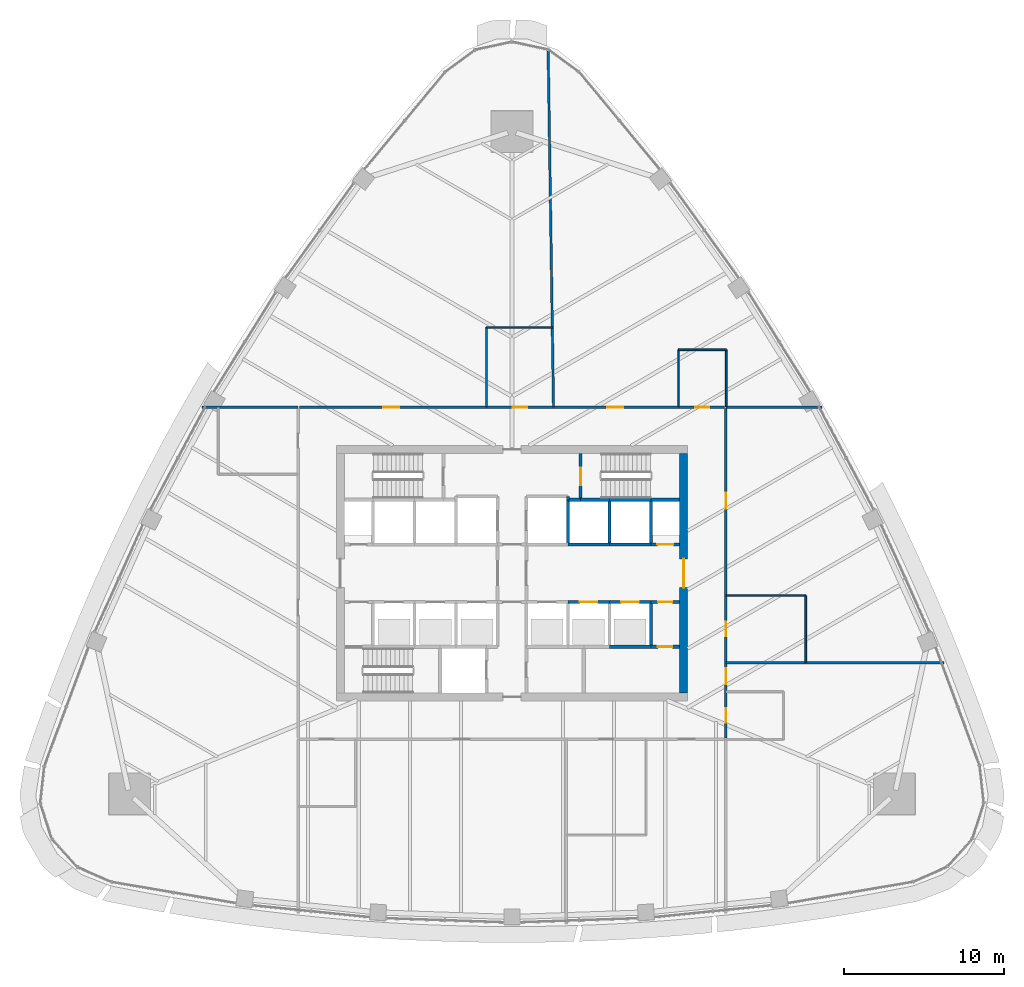
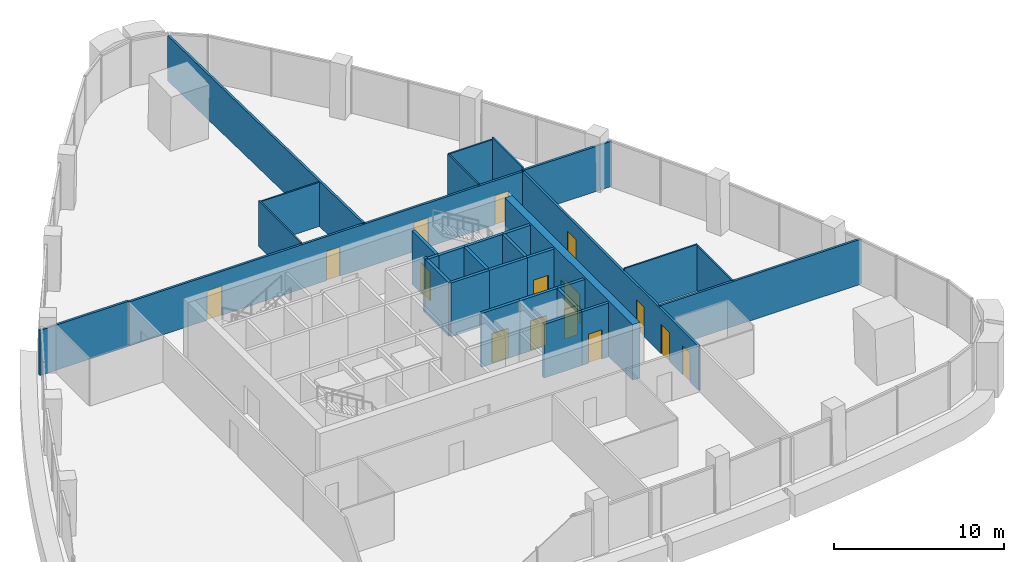
# One storey, part 11 of 16: 32 walls, 15 doors, 15 openings.
"""IFC4 building model written with IfcOpenShell, lengths in metres."""

from ifc_helpers import new_model, si_unit, direction, frame, frame_2d, origin, place, context, subcontext, project, spatial, rectangle, extrude, material, layer, layer_set, type_object, element, fill, save


model = new_model("IFC4")

# Units and contexts
model_context = context("Model", 3, precision=1e-05, world=origin(), true_north=direction((0.0, 1.0)))
body_context = subcontext(model_context, "Body", "Model", "MODEL_VIEW")
ifc_project = project(units=[si_unit("LENGTHUNIT", "METRE"), si_unit("AREAUNIT", "SQUARE_METRE"), si_unit("VOLUMEUNIT", "CUBIC_METRE"), si_unit("PLANEANGLEUNIT", "RADIAN"), si_unit("MASSUNIT", "GRAM", prefix="KILO")], contexts=[model_context])

# Site, building, storey
site_placement = place(None, origin())
site = spatial("IfcSite", under=ifc_project, at=site_placement, CompositionType="ELEMENT")
building_placement = place(site_placement, origin())
building = spatial("IfcBuilding", under=site, at=building_placement, Name="Sierra Prisma Convention Tower", CompositionType="ELEMENT")
storey_placement = place(building_placement, frame((0.0, 0.0, 165.800048828125)))
storey = spatial("IfcBuildingStorey", under=building, at=storey_placement, Name="L36", CompositionType="ELEMENT", Elevation=165.800048828125)

# Walls
ifc_material_1 = material(Name="Gypsum board partition", Category="gypsum")
ifc_layer_1 = layer(ifc_material_1, 0.10009765625)
ifc_layer_set_1 = layer_set([ifc_layer_1], Name="Bathroom partition 100")
wall_type_1 = type_object("IfcWallType", Name="Bathroom partition 100", PredefinedType="PARTITIONING", material=ifc_layer_set_1)
wall_1_placement = place(storey_placement, frame((-1.60009765625, 10.429931640625, 0.0), z_axis=(0.0, 0.0, 1.0), x_axis=(0.0, 1.0, 0.0)))
element("IfcWall", 1, at=wall_1_placement, inside=storey, type_object=wall_type_1, Name="Partition L36 bath 5", PredefinedType="PARTITIONING", context=body_context, shape_type="SweptSolid", body=[
    extrude(rectangle(XDim=4.969970703125, YDim=0.10009765625, at=frame_2d((2.48486328125, 0.0))), origin(), (0.0, 0.0, 1.0), 3.2470703125),
])
wall_2_placement = place(storey_placement, frame((-1.60009765625, 15.39990234375, 0.0), z_axis=(0.0, 0.0, 1.0), x_axis=(1.0, 0.0, 0.0)))
element("IfcWall", 2, at=wall_2_placement, inside=storey, type_object=wall_type_1, Name="Partition L36 bath 6", PredefinedType="PARTITIONING", context=body_context, shape_type="SweptSolid", body=[
    extrude(rectangle(XDim=4.170166015625, YDim=0.10009765625, at=frame_2d((2.0849609375, 0.0))), origin(), (0.0, 0.0, 1.0), 3.166015625),
])
wall_3_placement = place(storey_placement, frame((10.419921875, 10.429931640625, 0.0), z_axis=(0.0, 0.0, 1.0), x_axis=(0.0, 1.0, 0.0)))
element("IfcWall", 3, at=wall_3_placement, inside=storey, type_object=wall_type_1, Name="Partition L36 bath 9", PredefinedType="PARTITIONING", context=body_context, shape_type="SweptSolid", body=[
    extrude(rectangle(XDim=3.570068359375, YDim=0.10009765625, at=frame_2d((1.78515625, 0.0))), origin(), (0.0, 0.0, 1.0), 3.2470703125),
])
wall_4_placement = place(storey_placement, frame((10.419921875, 14.0, 0.0), z_axis=(0.0, 0.0, 1.0), x_axis=(1.0, 0.0, 0.0)))
element("IfcWall", 4, at=wall_4_placement, inside=storey, type_object=wall_type_1, Name="Partition L36 bath 10", PredefinedType="PARTITIONING", context=body_context, shape_type="SweptSolid", body=[
    extrude(rectangle(XDim=3.0, YDim=0.10009765625, at=frame_2d((1.5, 0.0))), origin(), (0.0, 0.0, 1.0), 3.2470703125),
])
wall_5_placement = place(storey_placement, frame((13.419921875, 14.0, 0.0), z_axis=(0.0, 0.0, 1.0), x_axis=(0.0, -1.0, 0.0)))
element("IfcWall", 5, at=wall_5_placement, inside=storey, type_object=wall_type_1, Name="Partition L36 bath 11", PredefinedType="PARTITIONING", context=body_context, shape_type="SweptSolid", body=[
    extrude(rectangle(XDim=3.570068359375, YDim=0.10009765625, at=frame_2d((1.78515625, 0.0))), origin(), (0.0, 0.0, 1.0), 3.39306640625),
])
wall_6_placement = place(storey_placement, frame((13.429931640625, -1.39990234375, 0.0), z_axis=(0.0, 0.0, 1.0), x_axis=(1.0, 0.0, 0.0)))
element("IfcWall", 6, at=wall_6_placement, inside=storey, type_object=wall_type_1, Name="Partition L36 bath 15", PredefinedType="PARTITIONING", context=body_context, shape_type="SweptSolid", body=[
    extrude(rectangle(XDim=4.969970703125, YDim=0.10009765625, at=frame_2d((2.48486328125, 0.0))), origin(), (0.0, 0.0, 1.0), 3.31689453125),
])
wall_7_placement = place(storey_placement, frame((18.39990234375, -1.39990234375, 0.0), z_axis=(0.0, 0.0, 1.0), x_axis=(0.0, -1.0, 0.0)))
element("IfcWall", 7, at=wall_7_placement, inside=storey, type_object=wall_type_1, Name="Partition L36 bath 16", PredefinedType="PARTITIONING", context=body_context, shape_type="SweptSolid", body=[
    extrude(rectangle(XDim=4.170166015625, YDim=0.10009765625, at=frame_2d((2.0849609375, 0.0))), origin(), (0.0, 0.0, 1.0), 3.2470703125),
])
ifc_material_2 = material(Name="Concrete C30/37", Category="concrete")
ifc_layer_2 = layer(ifc_material_2, 0.199951171875)
ifc_layer_set_2 = layer_set([ifc_layer_2], Name="Core wall RC 200 C30/37")
wall_type_2 = type_object("IfcWallType", Name="Core wall RC 200 C30/37", PredefinedType="SOLIDWALL", material=ifc_layer_set_2)
wall_8_placement = place(storey_placement, frame((3.5, 4.60009765625, 0.0), z_axis=(0.0, 0.0, 1.0), x_axis=(0.0, 1.0, 0.0)))
element("IfcWall", 8, at=wall_8_placement, inside=storey, type_object=wall_type_2, Name="Core wall L36 41", PredefinedType="SOLIDWALL", context=body_context, shape_type="SweptSolid", body=[
    extrude(rectangle(XDim=0.199951171875, YDim=0.199951171875, at=frame_2d((0.10009765625, 0.0))), origin(), (0.0, 0.0, 1.0), 3.849853515625),
])

# Wall, opening, door
wall_9_placement = place(storey_placement, frame((3.5, -1.800048828125, 0.0), z_axis=(0.0, 0.0, 1.0), x_axis=(1.0, 0.0, 0.0)))
wall_9 = element("IfcWall", 9, at=wall_9_placement, inside=storey, type_object=wall_type_2, Name="Core wall L36 46", PredefinedType="SOLIDWALL", context=body_context, shape_type="SweptSolid", body=[
    extrude(rectangle(XDim=2.60009765625, YDim=0.199951171875, at=frame_2d((1.300048828125, 0.0))), origin(), (0.0, 0.0, 1.0), 3.849853515625),
])
opening_1_placement = place(wall_9_placement, frame((0.75, 0.0, 0.0)))
opening_1 = element("IfcOpeningElement", 10, at=opening_1_placement, cuts=wall_9, Name="Opening L36-D005", PredefinedType="OPENING", context=body_context, shape_type="SweptSolid", body=[
    extrude(rectangle(XDim=1.10009765625, YDim=2.10009765625, at=frame_2d((0.550048828125, 1.050048828125))), frame((0.0, 0.10009765625, 0.0), z_axis=(0.0, -1.0, 0.0), x_axis=(1.0, 0.0, 0.0)), (0.0, 0.0, 1.0), 0.199951171875),
])
ifc_material_3 = material(Name="Steel fire door leaf", Category="steel")
door_type_1 = type_object("IfcDoorType", Name="Door 1100x2100 EI 90 sliding lift landing", OperationType="SLIDING_TO_LEFT", PredefinedType="DOOR", material=ifc_material_3)
door_1_placement = place(opening_1_placement, origin())
door_1 = element("IfcDoor", 11, at=door_1_placement, inside=storey, type_object=door_type_1, Name="Door L36 19", OperationType="SLIDING_TO_RIGHT", OverallHeight=2.10009765625, OverallWidth=1.10009765625, PredefinedType="DOOR", context=body_context, shape_type="SweptSolid", body=[
    extrude(rectangle(XDim=1.10009765625, YDim=2.10009765625, at=frame_2d((0.550048828125, 1.050048828125))), frame((0.0, 0.02490234375, 0.0), z_axis=(0.0, -1.0, 0.0), x_axis=(1.0, 0.0, 0.0)), (0.0, 0.0, 1.0), 0.050048828125),
])
fill(opening_1, door_1)

# Walls
wall_10_placement = place(storey_placement, frame((6.10009765625, 1.800048828125, 0.0), z_axis=(0.0, 0.0, 1.0), x_axis=(-1.0, 0.0, 0.0)))
element("IfcWall", 12, at=wall_10_placement, inside=storey, type_object=wall_type_2, Name="Core wall L36 47", PredefinedType="SOLIDWALL", context=body_context, shape_type="SweptSolid", body=[
    extrude(rectangle(XDim=2.60009765625, YDim=0.199951171875, at=frame_2d((1.300048828125, 0.0))), origin(), (0.0, 0.0, 1.0), 3.849853515625),
])
wall_11_placement = place(storey_placement, frame((3.5, 1.800048828125, 0.0), z_axis=(0.0, 0.0, 1.0), x_axis=(0.0, 1.0, 0.0)))
element("IfcWall", 13, at=wall_11_placement, inside=storey, type_object=wall_type_2, Name="Core wall L36 48", PredefinedType="SOLIDWALL", context=body_context, shape_type="SweptSolid", body=[
    extrude(rectangle(XDim=2.800048828125, YDim=0.199951171875, at=frame_2d((1.39990234375, 0.0))), origin(), (0.0, 0.0, 1.0), 3.849853515625),
])
wall_12_placement = place(storey_placement, frame((4.300048828125, 4.60009765625, 0.0), z_axis=(0.0, 0.0, 1.0), x_axis=(-1.0, 0.0, 0.0)))
element("IfcWall", 14, at=wall_12_placement, inside=storey, type_object=wall_type_2, Name="Core wall L36 49", PredefinedType="SOLIDWALL", context=body_context, shape_type="SweptSolid", body=[
    extrude(rectangle(XDim=0.800048828125, YDim=0.199951171875, at=frame_2d((0.39990234375, 0.0))), origin(), (0.0, 0.0, 1.0), 3.849853515625),
])
wall_13_placement = place(storey_placement, frame((6.10009765625, 4.60009765625, 0.0), z_axis=(0.0, 0.0, 1.0), x_axis=(-1.0, 0.0, 0.0)))
element("IfcWall", 15, at=wall_13_placement, inside=storey, type_object=wall_type_2, Name="Core wall L36 50", PredefinedType="SOLIDWALL", context=body_context, shape_type="SweptSolid", body=[
    extrude(rectangle(XDim=1.800048828125, YDim=0.199951171875, at=frame_2d((0.89990234375, 0.0))), origin(), (0.0, 0.0, 1.0), 3.849853515625),
])

# Wall, opening, door
wall_14_placement = place(storey_placement, frame((4.300048828125, 7.5, 0.0), z_axis=(0.0, 0.0, 1.0), x_axis=(0.0, -1.0, 0.0)))
wall_14 = element("IfcWall", 16, at=wall_14_placement, inside=storey, type_object=wall_type_2, Name="Core wall L36 51", PredefinedType="SOLIDWALL", context=body_context, shape_type="SweptSolid", body=[
    extrude(rectangle(XDim=2.89990234375, YDim=0.199951171875, at=frame_2d((1.449951171875, 0.0))), origin(), (0.0, 0.0, 1.0), 3.849853515625),
])
opening_2_placement = place(wall_14_placement, frame((0.89990234375, 0.0, 0.0)))
opening_2 = element("IfcOpeningElement", 17, at=opening_2_placement, cuts=wall_14, Name="Opening L36-D019", PredefinedType="OPENING", context=body_context, shape_type="SweptSolid", body=[
    extrude(rectangle(XDim=1.10009765625, YDim=2.10009765625, at=frame_2d((0.550048828125, 1.050048828125))), frame((0.0, 0.10009765625, 0.0), z_axis=(0.0, -1.0, 0.0), x_axis=(1.0, 0.0, 0.0)), (0.0, 0.0, 1.0), 0.199951171875),
])
ifc_material_4 = material(Name="Steel fire door leaf", Category="steel")
door_type_2 = type_object("IfcDoorType", Name="Door 1100x2100 FD90S", OperationType="SINGLE_SWING_LEFT", PredefinedType="DOOR", material=ifc_material_4)
door_2_placement = place(opening_2_placement, origin())
door_2 = element("IfcDoor", 18, at=door_2_placement, inside=storey, type_object=door_type_2, Name="Door L36 33", OperationType="SINGLE_SWING_RIGHT", OverallHeight=2.10009765625, OverallWidth=1.10009765625, PredefinedType="DOOR", context=body_context, shape_type="SweptSolid", body=[
    extrude(rectangle(XDim=1.10009765625, YDim=2.10009765625, at=frame_2d((0.550048828125, 1.050048828125))), frame((0.0, 0.02490234375, 0.0), z_axis=(0.0, -1.0, 0.0), x_axis=(1.0, 0.0, 0.0)), (0.0, 0.0, 1.0), 0.050048828125),
])
fill(opening_2, door_2)

# Wall
wall_15_placement = place(storey_placement, frame((8.699951171875, -4.60009765625, 0.0), z_axis=(0.0, 0.0, 1.0), x_axis=(-1.0, 0.0, 0.0)))
element("IfcWall", 19, at=wall_15_placement, inside=storey, type_object=wall_type_2, Name="Core wall L36 54", PredefinedType="SOLIDWALL", context=body_context, shape_type="SweptSolid", body=[
    extrude(rectangle(XDim=2.599853515625, YDim=0.199951171875, at=frame_2d((1.2998046875, 0.0))), origin(), (0.0, 0.0, 1.0), 3.849853515625),
])

# Wall, opening, door
wall_16_placement = place(storey_placement, frame((6.10009765625, -1.800048828125, 0.0), z_axis=(0.0, 0.0, 1.0), x_axis=(1.0, 0.0, 0.0)))
wall_16 = element("IfcWall", 20, at=wall_16_placement, inside=storey, type_object=wall_type_2, Name="Core wall L36 56", PredefinedType="SOLIDWALL", context=body_context, shape_type="SweptSolid", body=[
    extrude(rectangle(XDim=2.599853515625, YDim=0.199951171875, at=frame_2d((1.2998046875, 0.0))), origin(), (0.0, 0.0, 1.0), 3.849853515625),
])
opening_3_placement = place(wall_16_placement, frame((0.75, 0.0, 0.0)))
opening_3 = element("IfcOpeningElement", 21, at=opening_3_placement, cuts=wall_16, Name="Opening L36-D006", PredefinedType="OPENING", context=body_context, shape_type="SweptSolid", body=[
    extrude(rectangle(XDim=1.10009765625, YDim=2.10009765625, at=frame_2d((0.550048828125, 1.050048828125))), frame((0.0, 0.10009765625, 0.0), z_axis=(0.0, -1.0, 0.0), x_axis=(1.0, 0.0, 0.0)), (0.0, 0.0, 1.0), 0.199951171875),
])
door_3_placement = place(opening_3_placement, origin())
door_3 = element("IfcDoor", 22, at=door_3_placement, inside=storey, type_object=door_type_1, Name="Door L36 20", OperationType="SLIDING_TO_LEFT", OverallHeight=2.10009765625, OverallWidth=1.10009765625, PredefinedType="DOOR", context=body_context, shape_type="SweptSolid", body=[
    extrude(rectangle(XDim=1.10009765625, YDim=2.10009765625, at=frame_2d((0.550048828125, 1.050048828125))), frame((0.0, 0.02490234375, 0.0), z_axis=(0.0, -1.0, 0.0), x_axis=(1.0, 0.0, 0.0)), (0.0, 0.0, 1.0), 0.050048828125),
])
fill(opening_3, door_3)

# Walls
wall_17_placement = place(storey_placement, frame((8.699951171875, 1.800048828125, 0.0), z_axis=(0.0, 0.0, 1.0), x_axis=(-1.0, 0.0, 0.0)))
element("IfcWall", 23, at=wall_17_placement, inside=storey, type_object=wall_type_2, Name="Core wall L36 57", PredefinedType="SOLIDWALL", context=body_context, shape_type="SweptSolid", body=[
    extrude(rectangle(XDim=2.599853515625, YDim=0.199951171875, at=frame_2d((1.2998046875, 0.0))), origin(), (0.0, 0.0, 1.0), 3.849853515625),
])
wall_18_placement = place(storey_placement, frame((6.10009765625, 1.800048828125, 0.0), z_axis=(0.0, 0.0, 1.0), x_axis=(0.0, 1.0, 0.0)))
element("IfcWall", 24, at=wall_18_placement, inside=storey, type_object=wall_type_2, Name="Core wall L36 58", PredefinedType="SOLIDWALL", context=body_context, shape_type="SweptSolid", body=[
    extrude(rectangle(XDim=2.800048828125, YDim=0.199951171875, at=frame_2d((1.39990234375, 0.0))), origin(), (0.0, 0.0, 1.0), 3.849853515625),
])
wall_19_placement = place(storey_placement, frame((8.699951171875, 4.60009765625, 0.0), z_axis=(0.0, 0.0, 1.0), x_axis=(-1.0, 0.0, 0.0)))
element("IfcWall", 25, at=wall_19_placement, inside=storey, type_object=wall_type_2, Name="Core wall L36 59", PredefinedType="SOLIDWALL", context=body_context, shape_type="SweptSolid", body=[
    extrude(rectangle(XDim=2.599853515625, YDim=0.199951171875, at=frame_2d((1.2998046875, 0.0))), origin(), (0.0, 0.0, 1.0), 3.849853515625),
])

# Wall, opening, door
wall_20_placement = place(storey_placement, frame((10.5, -4.60009765625, 0.0), z_axis=(0.0, 0.0, 1.0), x_axis=(-1.0, 0.0, 0.0)))
wall_20 = element("IfcWall", 26, at=wall_20_placement, inside=storey, type_object=wall_type_2, Name="Core wall L36 60", PredefinedType="SOLIDWALL", context=body_context, shape_type="SweptSolid", body=[
    extrude(rectangle(XDim=1.800048828125, YDim=0.199951171875, at=frame_2d((0.89990234375, 0.0))), origin(), (0.0, 0.0, 1.0), 3.849853515625),
])
opening_4_placement = place(wall_20_placement, frame((0.4599609375, 0.0, 0.0)))
opening_4 = element("IfcOpeningElement", 27, at=opening_4_placement, cuts=wall_20, Name="Opening L36-D020", PredefinedType="OPENING", context=body_context, shape_type="SweptSolid", body=[
    extrude(rectangle(XDim=0.89990234375, YDim=2.10009765625, at=frame_2d((0.449951171875, 1.050048828125))), frame((0.0, 0.10009765625, 0.0), z_axis=(0.0, -1.0, 0.0), x_axis=(1.0, 0.0, 0.0)), (0.0, 0.0, 1.0), 0.199951171875),
])
ifc_material_5 = material(Name="Steel fire door leaf", Category="steel")
door_type_3 = type_object("IfcDoorType", Name="Door 900x2100 FD30S", OperationType="SINGLE_SWING_LEFT", PredefinedType="DOOR", material=ifc_material_5)
door_4_placement = place(opening_4_placement, origin())
door_4 = element("IfcDoor", 28, at=door_4_placement, inside=storey, type_object=door_type_3, Name="Door L36 34", OperationType="SINGLE_SWING_RIGHT", OverallHeight=2.10009765625, OverallWidth=0.89990234375, PredefinedType="DOOR", context=body_context, shape_type="SweptSolid", body=[
    extrude(rectangle(XDim=0.89990234375, YDim=2.10009765625, at=frame_2d((0.449951171875, 1.050048828125))), frame((0.0, 0.02490234375, 0.0), z_axis=(0.0, -1.0, 0.0), x_axis=(1.0, 0.0, 0.0)), (0.0, 0.0, 1.0), 0.050048828125),
])
fill(opening_4, door_4)

# Wall
wall_21_placement = place(storey_placement, frame((8.699951171875, -1.800048828125, 0.0), z_axis=(0.0, 0.0, 1.0), x_axis=(0.0, -1.0, 0.0)))
element("IfcWall", 29, at=wall_21_placement, inside=storey, type_object=wall_type_2, Name="Core wall L36 61", PredefinedType="SOLIDWALL", context=body_context, shape_type="SweptSolid", body=[
    extrude(rectangle(XDim=2.800048828125, YDim=0.199951171875, at=frame_2d((1.39990234375, 0.0))), origin(), (0.0, 0.0, 1.0), 3.849853515625),
])

# Wall, opening, door
wall_22_placement = place(storey_placement, frame((8.699951171875, -1.800048828125, 0.0), z_axis=(0.0, 0.0, 1.0), x_axis=(1.0, 0.0, 0.0)))
wall_22 = element("IfcWall", 30, at=wall_22_placement, inside=storey, type_object=wall_type_2, Name="Core wall L36 62", PredefinedType="SOLIDWALL", context=body_context, shape_type="SweptSolid", body=[
    extrude(rectangle(XDim=1.800048828125, YDim=0.199951171875, at=frame_2d((0.89990234375, 0.0))), origin(), (0.0, 0.0, 1.0), 3.849853515625),
])
opening_5_placement = place(wall_22_placement, frame((0.449951171875, 0.0, 0.0)))
opening_5 = element("IfcOpeningElement", 31, at=opening_5_placement, cuts=wall_22, Name="Opening L36-D021", PredefinedType="OPENING", context=body_context, shape_type="SweptSolid", body=[
    extrude(rectangle(XDim=0.89990234375, YDim=2.10009765625, at=frame_2d((0.449951171875, 1.050048828125))), frame((0.0, 0.10009765625, 0.0), z_axis=(0.0, -1.0, 0.0), x_axis=(1.0, 0.0, 0.0)), (0.0, 0.0, 1.0), 0.199951171875),
])
door_5_placement = place(opening_5_placement, origin())
door_5 = element("IfcDoor", 32, at=door_5_placement, inside=storey, type_object=door_type_3, Name="Door L36 35", OperationType="SINGLE_SWING_LEFT", OverallHeight=2.10009765625, OverallWidth=0.89990234375, PredefinedType="DOOR", context=body_context, shape_type="SweptSolid", body=[
    extrude(rectangle(XDim=0.89990234375, YDim=2.10009765625, at=frame_2d((0.449951171875, 1.050048828125))), frame((0.0, 0.02490234375, 0.0), z_axis=(0.0, -1.0, 0.0), x_axis=(1.0, 0.0, 0.0)), (0.0, 0.0, 1.0), 0.050048828125),
])
fill(opening_5, door_5)

wall_23_placement = place(storey_placement, frame((10.5, 1.800048828125, 0.0), z_axis=(0.0, 0.0, 1.0), x_axis=(-1.0, 0.0, 0.0)))
wall_23 = element("IfcWall", 33, at=wall_23_placement, inside=storey, type_object=wall_type_2, Name="Core wall L36 63", PredefinedType="SOLIDWALL", context=body_context, shape_type="SweptSolid", body=[
    extrude(rectangle(XDim=1.800048828125, YDim=0.199951171875, at=frame_2d((0.89990234375, 0.0))), origin(), (0.0, 0.0, 1.0), 3.849853515625),
])
opening_6_placement = place(wall_23_placement, frame((0.39990234375, 0.0, 0.0)))
opening_6 = element("IfcOpeningElement", 34, at=opening_6_placement, cuts=wall_23, Name="Opening L36-D016", PredefinedType="OPENING", context=body_context, shape_type="SweptSolid", body=[
    extrude(rectangle(XDim=1.0, YDim=2.10009765625, at=frame_2d((0.5, 1.050048828125))), frame((0.0, 0.10009765625, 0.0), z_axis=(0.0, -1.0, 0.0), x_axis=(1.0, 0.0, 0.0)), (0.0, 0.0, 1.0), 0.199951171875),
])
ifc_material_6 = material(Name="Steel fire door leaf", Category="steel")
door_type_4 = type_object("IfcDoorType", Name="Door 1000x2100 FD60S", OperationType="SINGLE_SWING_LEFT", PredefinedType="DOOR", material=ifc_material_6)
door_6_placement = place(opening_6_placement, origin())
door_6 = element("IfcDoor", 35, at=door_6_placement, inside=storey, type_object=door_type_4, Name="Door L36 30", OperationType="SINGLE_SWING_RIGHT", OverallHeight=2.10009765625, OverallWidth=1.0, PredefinedType="DOOR", context=body_context, shape_type="SweptSolid", body=[
    extrude(rectangle(XDim=1.0, YDim=2.10009765625, at=frame_2d((0.5, 1.050048828125))), frame((0.0, 0.02490234375, 0.0), z_axis=(0.0, -1.0, 0.0), x_axis=(1.0, 0.0, 0.0)), (0.0, 0.0, 1.0), 0.050048828125),
])
fill(opening_6, door_6)

# Walls
wall_24_placement = place(storey_placement, frame((8.699951171875, 4.60009765625, 0.0), z_axis=(0.0, 0.0, 1.0), x_axis=(0.0, -1.0, 0.0)))
element("IfcWall", 36, at=wall_24_placement, inside=storey, type_object=wall_type_2, Name="Core wall L36 64", PredefinedType="SOLIDWALL", context=body_context, shape_type="SweptSolid", body=[
    extrude(rectangle(XDim=2.800048828125, YDim=0.199951171875, at=frame_2d((1.39990234375, 0.0))), origin(), (0.0, 0.0, 1.0), 3.849853515625),
])
wall_25_placement = place(storey_placement, frame((10.5, 4.60009765625, 0.0), z_axis=(0.0, 0.0, 1.0), x_axis=(-1.0, 0.0, 0.0)))
element("IfcWall", 37, at=wall_25_placement, inside=storey, type_object=wall_type_2, Name="Core wall L36 65", PredefinedType="SOLIDWALL", context=body_context, shape_type="SweptSolid", body=[
    extrude(rectangle(XDim=1.800048828125, YDim=0.199951171875, at=frame_2d((0.89990234375, 0.0))), origin(), (0.0, 0.0, 1.0), 3.849853515625),
])

# Wall, opening, door
ifc_material_7 = material(Name="Concrete C60/75", Category="concrete")
ifc_layer_3 = layer(ifc_material_7, 0.5)
ifc_layer_set_3 = layer_set([ifc_layer_3], Name="Core wall RC 500 C60/75")
wall_type_3 = type_object("IfcWallType", Name="Core wall RC 500 C60/75", PredefinedType="SHEAR", material=ifc_layer_set_3)
wall_26_placement = place(storey_placement, frame((10.75, -7.5, 0.0), z_axis=(0.0, 0.0, 1.0), x_axis=(0.0, 1.0, 0.0)))
wall_26 = element("IfcWall", 38, at=wall_26_placement, inside=storey, type_object=wall_type_3, Name="Core wall E L36", PredefinedType="SHEAR", context=body_context, shape_type="SweptSolid", body=[
    extrude(rectangle(XDim=15.0, YDim=0.5, at=frame_2d((7.5, 0.0))), origin(), (0.0, 0.0, 1.0), 4.0),
])
opening_7_placement = place(wall_26_placement, frame((6.60009765625, 0.0, 0.0)))
opening_7 = element("IfcOpeningElement", 39, at=opening_7_placement, cuts=wall_26, Name="Opening L36-D037", PredefinedType="OPENING", context=body_context, shape_type="SweptSolid", body=[
    extrude(rectangle(XDim=1.800048828125, YDim=2.10009765625, at=frame_2d((0.89990234375, 1.050048828125))), frame((0.0, 0.25, 0.0), z_axis=(0.0, -1.0, 0.0), x_axis=(1.0, 0.0, 0.0)), (0.0, 0.0, 1.0), 0.5),
])
ifc_material_8 = material(Name="Steel fire door leaf", Category="steel")
door_type_5 = type_object("IfcDoorType", Name="Door 1800x2100 FD60S", OperationType="DOUBLE_DOOR_SINGLE_SWING", PredefinedType="DOOR", material=ifc_material_8)
door_7_placement = place(opening_7_placement, origin())
door_7 = element("IfcDoor", 40, at=door_7_placement, inside=storey, type_object=door_type_5, Name="Door L36 38", OperationType="DOUBLE_DOOR_SINGLE_SWING", OverallHeight=2.10009765625, OverallWidth=1.800048828125, PredefinedType="DOOR", context=body_context, shape_type="SweptSolid", body=[
    extrude(rectangle(XDim=1.800048828125, YDim=2.10009765625, at=frame_2d((0.89990234375, 1.050048828125))), frame((0.0, 0.02490234375, 0.0), z_axis=(0.0, -1.0, 0.0), x_axis=(1.0, 0.0, 0.0)), (0.0, 0.0, 1.0), 0.050048828125),
])
fill(opening_7, door_7)

# Wall, openings, doors
ifc_material_9 = material(Name="Gypsum board partition", Category="gypsum")
ifc_layer_4 = layer(ifc_material_9, 0.14990234375)
ifc_layer_set_4 = layer_set([ifc_layer_4], Name="Corridor wall 150 gypsum EI 60")
wall_type_4 = type_object("IfcWallType", Name="Corridor wall 150 gypsum EI 60", PredefinedType="PARTITIONING", material=ifc_layer_set_4)
wall_27_placement = place(storey_placement, frame((13.320068359375, 10.39990234375, 0.0), z_axis=(0.0, 0.0, 1.0), x_axis=(-1.0, 0.0, 0.0)))
wall_27 = element("IfcWall", 41, at=wall_27_placement, inside=storey, type_object=wall_type_4, Name="Partition L36 corr 3", PredefinedType="PARTITIONING", context=body_context, shape_type="SweptSolid", body=[
    extrude(rectangle(XDim=26.64013671875, YDim=0.14990234375, at=frame_2d((13.320068359375, 0.0))), origin(), (0.0, 0.0, 1.0), 3.166015625),
])
opening_8_placement = place(wall_27_placement, frame((0.949951171875, 0.0, 0.0)))
opening_8 = element("IfcOpeningElement", 42, at=opening_8_placement, cuts=wall_27, Name="Opening L36-D025", PredefinedType="OPENING", context=body_context, shape_type="SweptSolid", body=[
    extrude(rectangle(XDim=0.89990234375, YDim=2.10009765625, at=frame_2d((0.449951171875, 1.050048828125))), frame((0.0, 0.074951171875, 0.0), z_axis=(0.0, -1.0, 0.0), x_axis=(1.0, 0.0, 0.0)), (0.0, 0.0, 1.0), 0.14990234375),
])
opening_9_placement = place(wall_27_placement, frame((6.360107421875, 0.0, 0.0)))
opening_9 = element("IfcOpeningElement", 43, at=opening_9_placement, cuts=wall_27, Name="Opening L36-D026", PredefinedType="OPENING", context=body_context, shape_type="SweptSolid", body=[
    extrude(rectangle(XDim=1.0, YDim=2.10009765625, at=frame_2d((0.5, 1.050048828125))), frame((0.0, 0.074951171875, 0.0), z_axis=(0.0, -1.0, 0.0), x_axis=(1.0, 0.0, 0.0)), (0.0, 0.0, 1.0), 0.14990234375),
])
opening_10_placement = place(wall_27_placement, frame((12.3701171875, 0.0, 0.0)))
opening_10 = element("IfcOpeningElement", 44, at=opening_10_placement, cuts=wall_27, Name="Opening L36-D027", PredefinedType="OPENING", context=body_context, shape_type="SweptSolid", body=[
    extrude(rectangle(XDim=0.89990234375, YDim=2.10009765625, at=frame_2d((0.449951171875, 1.050048828125))), frame((0.0, 0.074951171875, 0.0), z_axis=(0.0, -1.0, 0.0), x_axis=(1.0, 0.0, 0.0)), (0.0, 0.0, 1.0), 0.14990234375),
])
opening_11_placement = place(wall_27_placement, frame((20.3798828125, 0.0, 0.0)))
opening_11 = element("IfcOpeningElement", 45, at=opening_11_placement, cuts=wall_27, Name="Opening L36-D028", PredefinedType="OPENING", context=body_context, shape_type="SweptSolid", body=[
    extrude(rectangle(XDim=1.0, YDim=2.10009765625, at=frame_2d((0.5, 1.050048828125))), frame((0.0, 0.074951171875, 0.0), z_axis=(0.0, -1.0, 0.0), x_axis=(1.0, 0.0, 0.0)), (0.0, 0.0, 1.0), 0.14990234375),
])
ifc_material_10 = material(Name="Steel fire door leaf", Category="steel")
door_type_6 = type_object("IfcDoorType", Name="Door 1000x2100 FD30S", OperationType="SINGLE_SWING_LEFT", PredefinedType="DOOR", material=ifc_material_10)
door_8_placement = place(opening_9_placement, origin())
door_8 = element("IfcDoor", 46, at=door_8_placement, inside=storey, type_object=door_type_6, Name="Door L36 4", OperationType="SINGLE_SWING_RIGHT", OverallHeight=2.10009765625, OverallWidth=1.0, PredefinedType="DOOR", context=body_context, shape_type="SweptSolid", body=[
    extrude(rectangle(XDim=1.0, YDim=2.10009765625, at=frame_2d((0.5, 1.050048828125))), frame((0.0, 0.02490234375, 0.0), z_axis=(0.0, -1.0, 0.0), x_axis=(1.0, 0.0, 0.0)), (0.0, 0.0, 1.0), 0.050048828125),
])
fill(opening_9, door_8)
door_9_placement = place(opening_11_placement, origin())
door_9 = element("IfcDoor", 47, at=door_9_placement, inside=storey, type_object=door_type_6, Name="Door L36 6", OperationType="SINGLE_SWING_RIGHT", OverallHeight=2.10009765625, OverallWidth=1.0, PredefinedType="DOOR", context=body_context, shape_type="SweptSolid", body=[
    extrude(rectangle(XDim=1.0, YDim=2.10009765625, at=frame_2d((0.5, 1.050048828125))), frame((0.0, 0.02490234375, 0.0), z_axis=(0.0, -1.0, 0.0), x_axis=(1.0, 0.0, 0.0)), (0.0, 0.0, 1.0), 0.050048828125),
])
fill(opening_11, door_9)
door_10_placement = place(opening_8_placement, origin())
door_10 = element("IfcDoor", 48, at=door_10_placement, inside=storey, type_object=door_type_3, Name="Door L36 3", OperationType="SINGLE_SWING_RIGHT", OverallHeight=2.10009765625, OverallWidth=0.89990234375, PredefinedType="DOOR", context=body_context, shape_type="SweptSolid", body=[
    extrude(rectangle(XDim=0.89990234375, YDim=2.10009765625, at=frame_2d((0.449951171875, 1.050048828125))), frame((0.0, 0.02490234375, 0.0), z_axis=(0.0, -1.0, 0.0), x_axis=(1.0, 0.0, 0.0)), (0.0, 0.0, 1.0), 0.050048828125),
])
fill(opening_8, door_10)
door_11_placement = place(opening_10_placement, origin())
door_11 = element("IfcDoor", 49, at=door_11_placement, inside=storey, type_object=door_type_3, Name="Door L36 5", OperationType="SINGLE_SWING_RIGHT", OverallHeight=2.10009765625, OverallWidth=0.89990234375, PredefinedType="DOOR", context=body_context, shape_type="SweptSolid", body=[
    extrude(rectangle(XDim=0.89990234375, YDim=2.10009765625, at=frame_2d((0.449951171875, 1.050048828125))), frame((0.0, 0.02490234375, 0.0), z_axis=(0.0, -1.0, 0.0), x_axis=(1.0, 0.0, 0.0)), (0.0, 0.0, 1.0), 0.050048828125),
])
fill(opening_10, door_11)

wall_28_placement = place(storey_placement, frame((13.39990234375, -10.320068359375, 0.0), z_axis=(0.0, 0.0, 1.0), x_axis=(0.0, 1.0, 0.0)))
wall_28 = element("IfcWall", 50, at=wall_28_placement, inside=storey, type_object=wall_type_4, Name="Partition L36 corr 4", PredefinedType="PARTITIONING", context=body_context, shape_type="SweptSolid", body=[
    extrude(rectangle(XDim=20.64013671875, YDim=0.14990234375, at=frame_2d((10.320068359375, 0.0))), origin(), (0.0, 0.0, 1.0), 3.166015625),
])
opening_12_placement = place(wall_28_placement, frame((6.3701171875, 0.0, 0.0)))
opening_12 = element("IfcOpeningElement", 51, at=opening_12_placement, cuts=wall_28, Name="Opening L36-D023", PredefinedType="OPENING", context=body_context, shape_type="SweptSolid", body=[
    extrude(rectangle(XDim=0.89990234375, YDim=2.10009765625, at=frame_2d((0.449951171875, 1.050048828125))), frame((0.0, 0.074951171875, 0.0), z_axis=(0.0, -1.0, 0.0), x_axis=(1.0, 0.0, 0.0)), (0.0, 0.0, 1.0), 0.14990234375),
])
opening_13_placement = place(wall_28_placement, frame((14.3701171875, 0.0, 0.0)))
opening_13 = element("IfcOpeningElement", 52, at=opening_13_placement, cuts=wall_28, Name="Opening L36-D024", PredefinedType="OPENING", context=body_context, shape_type="SweptSolid", body=[
    extrude(rectangle(XDim=1.0, YDim=2.10009765625, at=frame_2d((0.5, 1.050048828125))), frame((0.0, 0.074951171875, 0.0), z_axis=(0.0, -1.0, 0.0), x_axis=(1.0, 0.0, 0.0)), (0.0, 0.0, 1.0), 0.14990234375),
])
opening_14_placement = place(wall_28_placement, frame((0.949951171875, 0.0, 0.0)))
opening_14 = element("IfcOpeningElement", 53, at=opening_14_placement, cuts=wall_28, Name="Opening L36-D035", PredefinedType="OPENING", context=body_context, shape_type="SweptSolid", body=[
    extrude(rectangle(XDim=0.89990234375, YDim=2.10009765625, at=frame_2d((0.449951171875, 1.050048828125))), frame((0.0, 0.074951171875, 0.0), z_axis=(0.0, -1.0, 0.0), x_axis=(1.0, 0.0, 0.0)), (0.0, 0.0, 1.0), 0.14990234375),
])
opening_15_placement = place(wall_28_placement, frame((3.360107421875, 0.0, 0.0)))
opening_15 = element("IfcOpeningElement", 54, at=opening_15_placement, cuts=wall_28, Name="Opening L36-D036", PredefinedType="OPENING", context=body_context, shape_type="SweptSolid", body=[
    extrude(rectangle(XDim=1.0, YDim=2.10009765625, at=frame_2d((0.5, 1.050048828125))), frame((0.0, 0.074951171875, 0.0), z_axis=(0.0, -1.0, 0.0), x_axis=(1.0, 0.0, 0.0)), (0.0, 0.0, 1.0), 0.14990234375),
])
door_12_placement = place(opening_13_placement, origin())
door_12 = element("IfcDoor", 55, at=door_12_placement, inside=storey, type_object=door_type_6, Name="Door L36 2", OperationType="SINGLE_SWING_LEFT", OverallHeight=2.10009765625, OverallWidth=1.0, PredefinedType="DOOR", context=body_context, shape_type="SweptSolid", body=[
    extrude(rectangle(XDim=1.0, YDim=2.10009765625, at=frame_2d((0.5, 1.050048828125))), frame((0.0, 0.02490234375, 0.0), z_axis=(0.0, -1.0, 0.0), x_axis=(1.0, 0.0, 0.0)), (0.0, 0.0, 1.0), 0.050048828125),
])
fill(opening_13, door_12)
door_13_placement = place(opening_15_placement, origin())
door_13 = element("IfcDoor", 56, at=door_13_placement, inside=storey, type_object=door_type_6, Name="Door L36 14", OperationType="SINGLE_SWING_LEFT", OverallHeight=2.10009765625, OverallWidth=1.0, PredefinedType="DOOR", context=body_context, shape_type="SweptSolid", body=[
    extrude(rectangle(XDim=1.0, YDim=2.10009765625, at=frame_2d((0.5, 1.050048828125))), frame((0.0, 0.02490234375, 0.0), z_axis=(0.0, -1.0, 0.0), x_axis=(1.0, 0.0, 0.0)), (0.0, 0.0, 1.0), 0.050048828125),
])
fill(opening_15, door_13)
door_14_placement = place(opening_12_placement, origin())
door_14 = element("IfcDoor", 57, at=door_14_placement, inside=storey, type_object=door_type_3, Name="Door L36 1", OperationType="SINGLE_SWING_RIGHT", OverallHeight=2.10009765625, OverallWidth=0.89990234375, PredefinedType="DOOR", context=body_context, shape_type="SweptSolid", body=[
    extrude(rectangle(XDim=0.89990234375, YDim=2.10009765625, at=frame_2d((0.449951171875, 1.050048828125))), frame((0.0, 0.02490234375, 0.0), z_axis=(0.0, -1.0, 0.0), x_axis=(1.0, 0.0, 0.0)), (0.0, 0.0, 1.0), 0.050048828125),
])
fill(opening_12, door_14)
door_15_placement = place(opening_14_placement, origin())
door_15 = element("IfcDoor", 58, at=door_15_placement, inside=storey, type_object=door_type_3, Name="Door L36 13", OperationType="SINGLE_SWING_RIGHT", OverallHeight=2.10009765625, OverallWidth=0.89990234375, PredefinedType="DOOR", context=body_context, shape_type="SweptSolid", body=[
    extrude(rectangle(XDim=0.89990234375, YDim=2.10009765625, at=frame_2d((0.449951171875, 1.050048828125))), frame((0.0, 0.02490234375, 0.0), z_axis=(0.0, -1.0, 0.0), x_axis=(1.0, 0.0, 0.0)), (0.0, 0.0, 1.0), 0.050048828125),
])
fill(opening_14, door_15)

# Walls
ifc_material_11 = material(Name="Gypsum board partition", Category="gypsum")
ifc_layer_5 = layer(ifc_material_11, 0.14990234375)
ifc_layer_set_5 = layer_set([ifc_layer_5], Name="Party wall 150 gypsum")
wall_type_5 = type_object("IfcWallType", Name="Party wall 150 gypsum", PredefinedType="PARTITIONING", material=ifc_layer_set_5)
wall_29_placement = place(storey_placement, frame((-13.39990234375, 10.39990234375, 0.0), z_axis=(0.0, 0.0, 1.0), x_axis=(-1.0, 0.0, 0.0)))
element("IfcWall", 59, at=wall_29_placement, inside=storey, type_object=wall_type_5, Name="Partition L36 party 1", PredefinedType="PARTITIONING", context=body_context, shape_type="SweptSolid", body=[
    extrude(rectangle(XDim=6.002685546875, YDim=0.14990234375, at=frame_2d((3.00146484375, 0.0))), origin(), (0.0, 0.0, 1.0), 3.23388671875),
])
wall_30_placement = place(storey_placement, frame((2.60009765625, 10.39990234375, 0.0), z_axis=(0.0, 0.0, 1.0), x_axis=(-0.015028900051, 0.999887059704, 0.0)))
element("IfcWall", 60, at=wall_30_placement, inside=storey, type_object=wall_type_5, Name="Partition L36 party 3", PredefinedType="PARTITIONING", context=body_context, shape_type="SweptSolid", body=[
    extrude(rectangle(XDim=22.303955078125, YDim=0.14990234375, at=frame_2d((11.15185546875, 0.0))), origin(), (0.0, 0.0, 1.0), 3.23388671875),
])
wall_31_placement = place(storey_placement, frame((27.073486328125, -5.60009765625, 0.0), z_axis=(0.0, 0.0, 1.0), x_axis=(-1.0, 0.0, 0.0)))
element("IfcWall", 61, at=wall_31_placement, inside=storey, type_object=wall_type_5, Name="Partition L36 party 6", PredefinedType="PARTITIONING", context=body_context, shape_type="SweptSolid", body=[
    extrude(rectangle(XDim=13.673583984375, YDim=0.14990234375, at=frame_2d((6.8369140625, 0.0))), origin(), (0.0, 0.0, 1.0), 3.23388671875),
])
wall_32_placement = place(storey_placement, frame((13.39990234375, 10.39990234375, 0.0), z_axis=(0.0, 0.0, 1.0), x_axis=(1.0, 0.0, 0.0)))
element("IfcWall", 62, at=wall_32_placement, inside=storey, type_object=wall_type_5, Name="Partition L36 party 7", PredefinedType="PARTITIONING", context=body_context, shape_type="SweptSolid", body=[
    extrude(rectangle(XDim=6.002685546875, YDim=0.14990234375, at=frame_2d((3.00146484375, 0.0))), origin(), (0.0, 0.0, 1.0), 3.23388671875),
])

save(model, "model.ifc")
